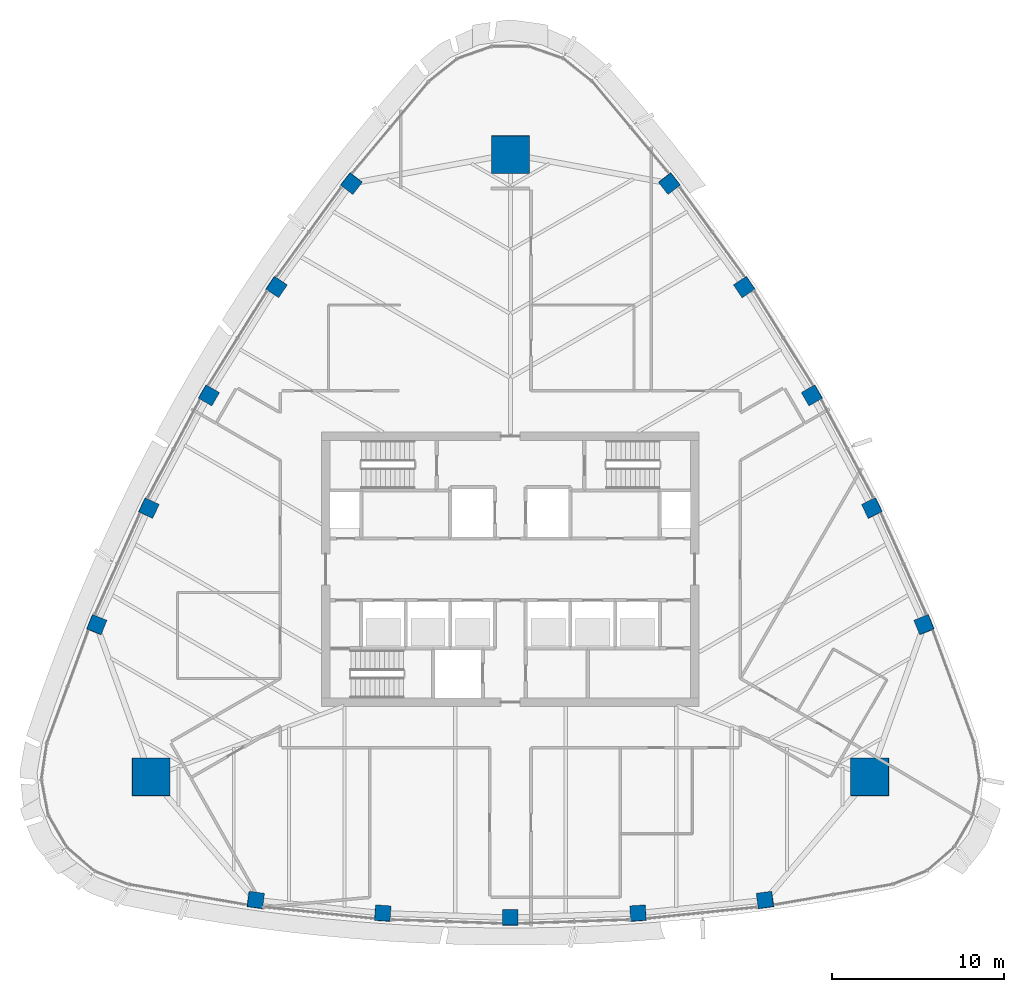
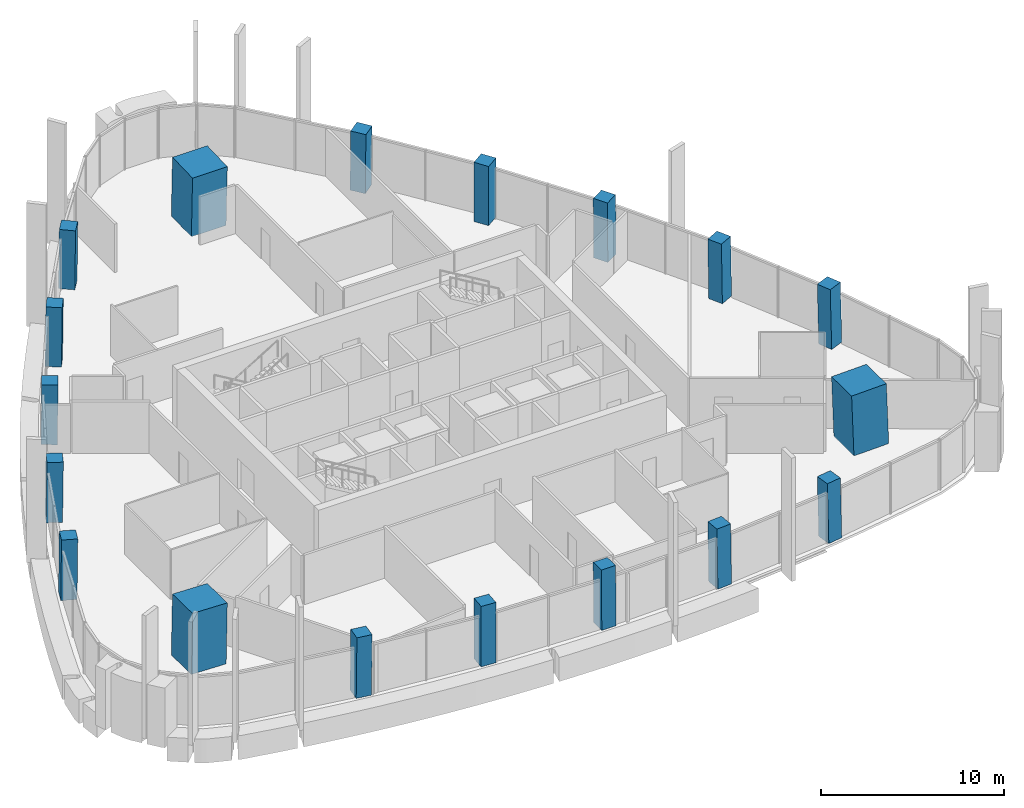
# One storey, part 1 of 18: 18 columns.
"""IFC4 building model written with IfcOpenShell, lengths in metres."""

from ifc_helpers import new_model, si_unit, direction, frame, origin, origin_2d, place, context, subcontext, project, spatial, rectangle, extrude, material, material_profile, profile_set, type_object, element, save


model = new_model("IFC4")

# Units and contexts
model_context = context("Model", 3, precision=1e-05, world=origin(), true_north=direction((0.0, 1.0)))
body_context = subcontext(model_context, "Body", "Model", "MODEL_VIEW")
ifc_project = project(units=[si_unit("LENGTHUNIT", "METRE"), si_unit("AREAUNIT", "SQUARE_METRE"), si_unit("VOLUMEUNIT", "CUBIC_METRE"), si_unit("PLANEANGLEUNIT", "RADIAN"), si_unit("MASSUNIT", "GRAM", prefix="KILO")], contexts=[model_context])

# Site, building, storey
site_placement = place(None, origin())
site = spatial("IfcSite", under=ifc_project, at=site_placement, CompositionType="ELEMENT")
building_placement = place(site_placement, origin())
building = spatial("IfcBuilding", under=site, at=building_placement, Name="Sierra Prisma Convention Tower", CompositionType="ELEMENT")
storey_placement = place(building_placement, frame((0.0, 0.0, 279.0)))
storey = spatial("IfcBuildingStorey", under=building, at=storey_placement, Name="L63", CompositionType="ELEMENT", Elevation=279.0)

# Columns
ifc_material_1 = material(Name="Concrete C50/60", Category="concrete")
ifc_material_profile_1 = material_profile(ifc_material_1, rectangle(XDim=2.199951171875, YDim=2.199951171875, at=origin_2d()), Name="Mega column RC 2200 C50/60")
ifc_profile_set_1 = profile_set([ifc_material_profile_1], Name="Concrete C50/60")
column_type_1 = type_object("IfcColumnType", Name="Mega column RC 2200 C50/60", PredefinedType="COLUMN", material=ifc_profile_set_1)
for number, where, z_axis, x_axis, name in (
    (1, (20.95556640625, -12.0986328125, 0.0), (-0.027817676907, 0.016043967164, 0.999484250986), (0.999613013546, 0.000446478676, 0.027814093645), "Mega column SE L63"),
    (2, (0.0, 24.197265625, 0.0), (0.0, -0.032087959942, 0.999485048826), (1.0, 0.0, 0.0), "Mega column N L63"),
    (3, (-20.95556640625, -12.0986328125, 0.0), (0.027817676907, 0.016043967164, 0.999484250986), (0.999613013546, -0.000446478676, -0.027814093645), "Mega column SW L63"),
):
    element("IfcColumn", number, at=place(storey_placement, frame(where, z_axis=z_axis, x_axis=x_axis)), inside=storey, type_object=column_type_1, Name=name, PredefinedType="COLUMN", context=body_context, shape_type="SweptSolid", body=[
        extrude(rectangle(XDim=2.199951171875, YDim=2.199951171875, at=origin_2d()), origin(), (0.0, 0.0, 1.0), 4.001953125),
    ])
ifc_material_2 = material(Name="Concrete C50/60", Category="concrete")
ifc_material_profile_2 = material_profile(ifc_material_2, rectangle(XDim=0.89990234375, YDim=0.89990234375, at=origin_2d()), Name="Perimeter column RC 900 C50/60")
ifc_profile_set_2 = profile_set([ifc_material_profile_2], Name="Concrete C50/60")
column_type_2 = type_object("IfcColumnType", Name="Perimeter column RC 900 C50/60", PredefinedType="COLUMN", material=ifc_profile_set_2)
column_1_placement = place(storey_placement, frame((-14.851318359375, -19.2724609375, 0.0), z_axis=(0.017513460473, 0.010373826761, 0.999792809746), x_axis=(-0.990424107913, 0.137136557985, 0.01592642237)))
element("IfcColumn", 4, at=column_1_placement, inside=storey, type_object=column_type_2, Name="Perimeter column S-1 L63", PredefinedType="COLUMN", context=body_context, shape_type="SweptSolid", body=[
    extrude(rectangle(XDim=0.89990234375, YDim=0.89990234375, at=origin_2d()), origin(), (0.0, 0.0, 1.0), 4.000732421875),
])
column_2_placement = place(storey_placement, frame((-7.443115234375, -20.03857421875, 0.0), z_axis=(0.008727150594, 0.011168311599, 0.999899547784), x_axis=(-0.997603234355, 0.068736841792, 0.007939356718)))
element("IfcColumn", 5, at=column_2_placement, inside=storey, type_object=column_type_2, Name="Perimeter column S-2 L63", PredefinedType="COLUMN", context=body_context, shape_type="SweptSolid", body=[
    extrude(rectangle(XDim=0.89990234375, YDim=0.89990234375, at=origin_2d()), origin(), (0.0, 0.0, 1.0), 4.00048828125),
])
column_3_placement = place(storey_placement, frame((0.0, -20.294189453125, 0.0), z_axis=(0.0, 0.01141283087, 0.999934871525), x_axis=(1.0, 0.0, 0.0)))
element("IfcColumn", 6, at=column_3_placement, inside=storey, type_object=column_type_2, Name="Perimeter column S-3 L63", PredefinedType="COLUMN", context=body_context, shape_type="SweptSolid", body=[
    extrude(rectangle(XDim=0.89990234375, YDim=0.89990234375, at=origin_2d()), origin(), (0.0, 0.0, 1.0), 4.000244140625),
])
column_4_placement = place(storey_placement, frame((7.443115234375, -20.03857421875, 0.0), z_axis=(-0.008727150594, 0.011168311599, 0.999899547784), x_axis=(0.997603234355, 0.068736841792, 0.007939356718)))
element("IfcColumn", 7, at=column_4_placement, inside=storey, type_object=column_type_2, Name="Perimeter column S-4 L63", PredefinedType="COLUMN", context=body_context, shape_type="SweptSolid", body=[
    extrude(rectangle(XDim=0.89990234375, YDim=0.89990234375, at=origin_2d()), origin(), (0.0, 0.0, 1.0), 4.00048828125),
])
for number, where, z_axis, x_axis, name in (
    (8, (14.851318359375, -19.2724609375, 0.0), (-0.017513460473, 0.010373826761, 0.999792809746), (0.990424107913, 0.137136557985, 0.01592642237), "Perimeter column S-5 L63"),
    (9, (24.115966796875, -3.225341796875, 0.0), (-0.017696547774, 0.0099466803, 0.999793926641), (-0.37661478628, 0.926233823829, -0.015881005939), "Perimeter column NE-1 L63"),
):
    element("IfcColumn", number, at=place(storey_placement, frame(where, z_axis=z_axis, x_axis=x_axis)), inside=storey, type_object=column_type_2, Name=name, PredefinedType="COLUMN", context=body_context, shape_type="SweptSolid", body=[
        extrude(rectangle(XDim=0.89990234375, YDim=0.89990234375, at=origin_2d()), origin(), (0.0, 0.0, 1.0), 4.000732421875),
    ])
column_5_placement = place(storey_placement, frame((21.075439453125, 3.5732421875, 0.0), z_axis=(-0.014036674448, 0.002013957638, 0.999899452818), x_axis=(-0.439329981248, 0.898290343146, -0.00797665265)))
element("IfcColumn", 10, at=column_5_placement, inside=storey, type_object=column_type_2, Name="Perimeter column NE-2 L63", PredefinedType="COLUMN", context=body_context, shape_type="SweptSolid", body=[
    extrude(rectangle(XDim=0.89990234375, YDim=0.89990234375, at=origin_2d()), origin(), (0.0, 0.0, 1.0), 4.00048828125),
])
column_6_placement = place(storey_placement, frame((17.575439453125, 10.147216796875, 0.0), z_axis=(-0.009887049298, -0.00573692984, 0.999934664812), x_axis=(-0.499975560967, 0.866039512843, 2.5126546e-05)))
element("IfcColumn", 11, at=column_6_placement, inside=storey, type_object=column_type_2, Name="Perimeter column NE-3 L63", PredefinedType="COLUMN", context=body_context, shape_type="SweptSolid", body=[
    extrude(rectangle(XDim=0.89990234375, YDim=0.89990234375, at=origin_2d()), origin(), (0.0, 0.0, 1.0), 4.000244140625),
])
column_7_placement = place(storey_placement, frame((13.63232421875, 16.465087890625, 0.0), z_axis=(-0.00530952661, -0.013121243922, 0.999899815924), x_axis=(-0.558260089841, 0.829628173864, 0.007922450535)))
element("IfcColumn", 12, at=column_7_placement, inside=storey, type_object=column_type_2, Name="Perimeter column NE-4 L63", PredefinedType="COLUMN", context=body_context, shape_type="SweptSolid", body=[
    extrude(rectangle(XDim=0.89990234375, YDim=0.89990234375, at=origin_2d()), origin(), (0.0, 0.0, 1.0), 4.00048828125),
])
for number, where, z_axis, x_axis, name in (
    (13, (9.264892578125, 22.497802734375, 0.0), (-0.000244090207, -0.020320509722, 0.999793487329), (-0.613902244711, 0.789222095154, 0.015890829389), "Perimeter column NE-5 L63"),
    (14, (-9.264892578125, 22.497802734375, 0.0), (0.000244090207, -0.020320509722, 0.999793487329), (0.613902244711, 0.789222095154, 0.015890829389), "Perimeter column NW-1 L63"),
):
    element("IfcColumn", number, at=place(storey_placement, frame(where, z_axis=z_axis, x_axis=x_axis)), inside=storey, type_object=column_type_2, Name=name, PredefinedType="COLUMN", context=body_context, shape_type="SweptSolid", body=[
        extrude(rectangle(XDim=0.89990234375, YDim=0.89990234375, at=origin_2d()), origin(), (0.0, 0.0, 1.0), 4.000732421875),
    ])
column_8_placement = place(storey_placement, frame((-13.63232421875, 16.465087890625, 0.0), z_axis=(0.00530952661, -0.013121243922, 0.999899815924), x_axis=(0.558260089841, 0.829628173864, 0.007922450535)))
element("IfcColumn", 15, at=column_8_placement, inside=storey, type_object=column_type_2, Name="Perimeter column NW-2 L63", PredefinedType="COLUMN", context=body_context, shape_type="SweptSolid", body=[
    extrude(rectangle(XDim=0.89990234375, YDim=0.89990234375, at=origin_2d()), origin(), (0.0, 0.0, 1.0), 4.00048828125),
])
column_9_placement = place(storey_placement, frame((-17.575439453125, 10.147216796875, 0.0), z_axis=(0.009887049298, -0.00573692984, 0.999934664812), x_axis=(0.499975560967, 0.866039512843, 2.5126546e-05)))
element("IfcColumn", 16, at=column_9_placement, inside=storey, type_object=column_type_2, Name="Perimeter column NW-3 L63", PredefinedType="COLUMN", context=body_context, shape_type="SweptSolid", body=[
    extrude(rectangle(XDim=0.89990234375, YDim=0.89990234375, at=origin_2d()), origin(), (0.0, 0.0, 1.0), 4.000244140625),
])
column_10_placement = place(storey_placement, frame((-21.075439453125, 3.5732421875, 0.0), z_axis=(0.014036674448, 0.002013957638, 0.999899452818), x_axis=(0.439329981248, 0.898290343146, -0.00797665265)))
element("IfcColumn", 17, at=column_10_placement, inside=storey, type_object=column_type_2, Name="Perimeter column NW-4 L63", PredefinedType="COLUMN", context=body_context, shape_type="SweptSolid", body=[
    extrude(rectangle(XDim=0.89990234375, YDim=0.89990234375, at=origin_2d()), origin(), (0.0, 0.0, 1.0), 4.00048828125),
])
column_11_placement = place(storey_placement, frame((-24.115966796875, -3.225341796875, 0.0), z_axis=(0.017696547774, 0.0099466803, 0.999793926641), x_axis=(0.37661478628, 0.926233823829, -0.015881005939)))
element("IfcColumn", 18, at=column_11_placement, inside=storey, type_object=column_type_2, Name="Perimeter column NW-5 L63", PredefinedType="COLUMN", context=body_context, shape_type="SweptSolid", body=[
    extrude(rectangle(XDim=0.89990234375, YDim=0.89990234375, at=origin_2d()), origin(), (0.0, 0.0, 1.0), 4.000732421875),
])

save(model, "model.ifc")
